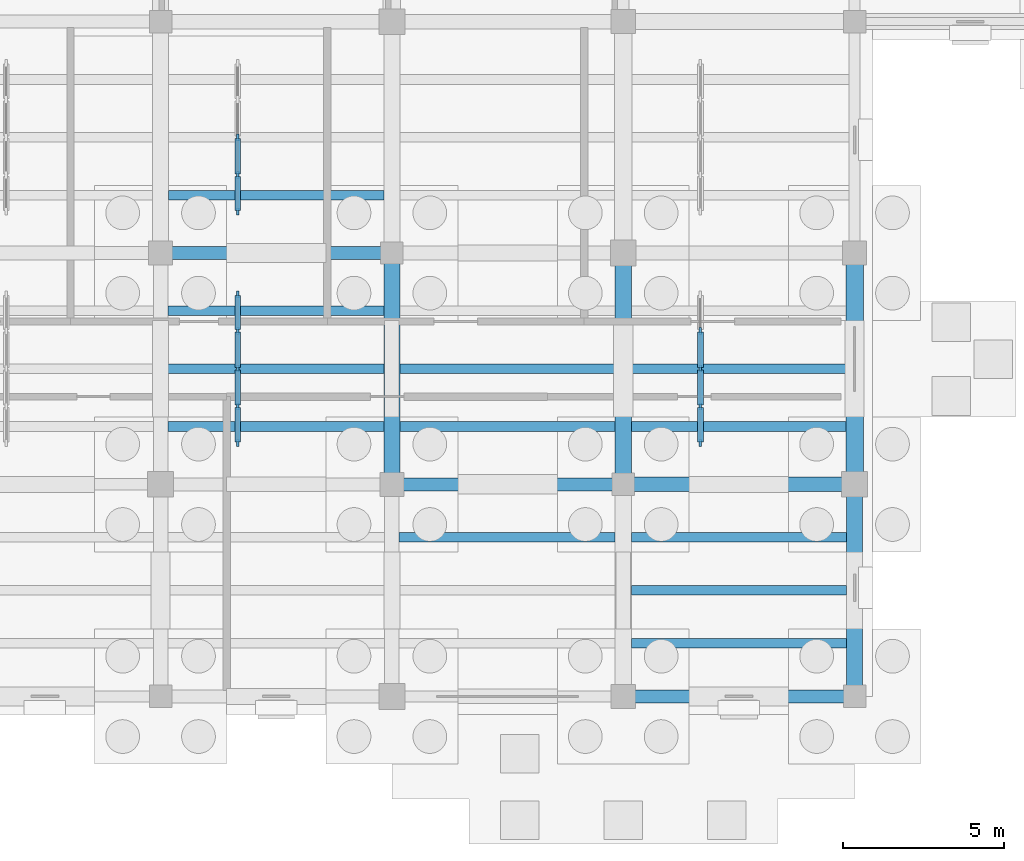
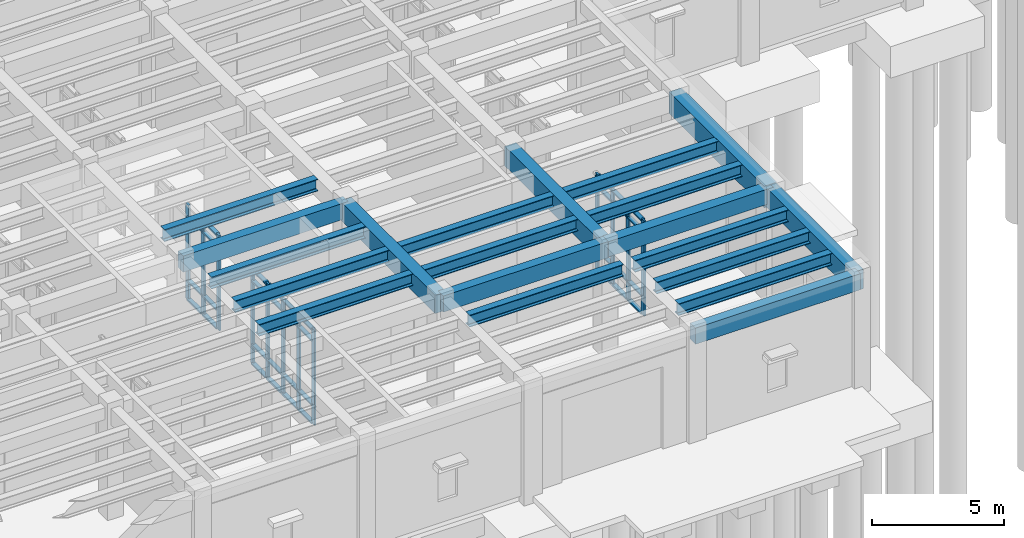
# One storey, part 35 of 100: 47 members, 20 beams, 3 elements without a shape of their own.
"""IFC4 building model written with IfcOpenShell, lengths in metres."""

import ifcopenshell
import ifcopenshell.guid

model = None  # the IFC model being written
_history = None  # IfcOwnerHistory: only IFC2X3 demands one
_inside = {}  # id of a spatial element -> (the spatial element, [elements in it])
_under = {}  # id of a project, library or spatial element -> (it, [spatial elements below it])
_declared = {}  # id of a project -> (the project, [libraries it declares])
_typed = {}  # id of a type object -> (the type object, [elements of that type])
_made_of = {}  # id of a material, layer set ... -> (it, [elements and type objects made of it])


def new_model(schema):
    """Start an empty IFC model of exactly this schema.

    Asked for "IFC4X3", IfcOpenShell would pick the latest addendum, in which some entities
    have other attributes; the version numbers below select the first issue.
    IFC2X3 requires an IfcOwnerHistory on every rooted entity: one is made here for all.
    """
    global model, _history
    if schema == "IFC4X3":
        model = ifcopenshell.file(schema_version=(4, 3, 0, 0))
    else:
        model = ifcopenshell.file(schema=schema)
    _inside.clear()
    _under.clear()
    _declared.clear()
    _typed.clear()
    _made_of.clear()
    _history = None
    if model.schema == "IFC2X3":
        org = make("IfcOrganization", Name="unknown")
        user = make(
            "IfcPersonAndOrganization",
            ThePerson=make("IfcPerson", FamilyName="unknown"),
            TheOrganization=org,
        )
        app = make(
            "IfcApplication",
            ApplicationDeveloper=org,
            Version="unknown",
            ApplicationFullName="unknown",
            ApplicationIdentifier="unknown",
        )
        _history = make(
            "IfcOwnerHistory",
            OwningUser=user,
            OwningApplication=app,
            ChangeAction="ADDED",
            CreationDate=0,
        )
    return model


def make(cls, **values):
    """One entity of the class cls with the attributes given. An attribute that is None is left unset."""
    return model.create_entity(
        cls, **{name: value for name, value in values.items() if value is not None}
    )


def rooted(cls, **values):
    """An entity with a GlobalId (a new one), such as an element, a storey or a relation."""
    return make(cls, GlobalId=ifcopenshell.guid.new(), OwnerHistory=_history, **values)


def si_unit(unit_type, name, prefix=None):
    """IfcSIUnit, for example si_unit("LENGTHUNIT", "METRE", prefix="MILLI")."""
    return make("IfcSIUnit", UnitType=unit_type, Prefix=prefix, Name=name)


def assignment(units):
    """IfcUnitAssignment: the units of a project."""
    return None if units is None else make("IfcUnitAssignment", Units=units)


def point(xyz):
    """IfcCartesianPoint."""
    return None if xyz is None else make("IfcCartesianPoint", Coordinates=xyz)


def direction(xyz):
    """IfcDirection."""
    return None if xyz is None else make("IfcDirection", DirectionRatios=xyz)


def frame(location, z_axis=None, x_axis=None):
    """IfcAxis2Placement3D, a coordinate frame: its origin and axes. An axis left out is left unset."""
    return make(
        "IfcAxis2Placement3D",
        Location=point(location),
        Axis=direction(z_axis),
        RefDirection=direction(x_axis),
    )


def frame_2d(location, x_axis=None):
    """IfcAxis2Placement2D, a coordinate frame in the plane: its origin and x axis."""
    return make(
        "IfcAxis2Placement2D", Location=point(location), RefDirection=direction(x_axis)
    )


def origin():
    """The frame at (0, 0, 0) with its axes left unset."""
    return frame((0.0, 0.0, 0.0))


def origin_2d():
    """The frame at (0, 0) in the plane with its x axis left unset."""
    return frame_2d((0.0, 0.0))


def place(relative_to, where):
    """IfcLocalPlacement: puts the frame where relative to a parent placement (None: the world)."""
    return make(
        "IfcLocalPlacement", PlacementRelTo=relative_to, RelativePlacement=where
    )


def context(
    kind, dimensions, precision=None, world=None, true_north=None, identifier=None
):
    """IfcGeometricRepresentationContext, for example the 3D "Model" context."""
    return make(
        "IfcGeometricRepresentationContext",
        ContextIdentifier=identifier,
        ContextType=kind,
        CoordinateSpaceDimension=dimensions,
        Precision=precision,
        WorldCoordinateSystem=world,
        TrueNorth=true_north,
    )


def subcontext(parent, identifier, kind, view, scale=None):
    """IfcGeometricRepresentationSubContext, for example "Body" below "Model"."""
    return make(
        "IfcGeometricRepresentationSubContext",
        ContextIdentifier=identifier,
        ContextType=kind,
        ParentContext=parent,
        TargetScale=scale,
        TargetView=view,
    )


def project(units=None, contexts=None):
    """IfcProject with its units and contexts."""
    return rooted(
        "IfcProject",
        Name="project",
        RepresentationContexts=contexts,
        UnitsInContext=assignment(units),
    )


def spatial(cls, under=None, at=None, **own):
    """A site, building, storey or space (cls), placed at a placement, below another one or the project."""
    s = rooted(cls, ObjectPlacement=at, **own)
    if under is not None:
        _under.setdefault(under.id(), (under, []))[1].append(s)
    return s


def profile(cls, at=None, kind="AREA", **sizes):
    """A parametric profile (cls). Its sizes go by their IFC names, for example OverallWidth=200.0."""
    return make(cls, ProfileType=kind, Position=at, **sizes)


def rectangle(**sizes):
    """IfcRectangleProfileDef."""
    return profile("IfcRectangleProfileDef", **sizes)


def i_section(**sizes):
    """IfcIShapeProfileDef."""
    return profile("IfcIShapeProfileDef", **sizes)


def extrude(swept, where, along, depth):
    """IfcExtrudedAreaSolid: the profile swept, set in the frame where, extruded along a direction by depth."""
    return make(
        "IfcExtrudedAreaSolid",
        SweptArea=swept,
        Position=where,
        ExtrudedDirection=direction(along),
        Depth=depth,
    )


def shape(context_of_items, identifier, shape_type, items):
    """IfcShapeRepresentation: the items that make up one representation, for example the "Body"."""
    return make(
        "IfcShapeRepresentation",
        ContextOfItems=context_of_items,
        RepresentationIdentifier=identifier,
        RepresentationType=shape_type,
        Items=items,
    )


def material(Name=None, Category=None):
    """IfcMaterial."""
    return make("IfcMaterial", Name=Name, Category=Category)


def material_profile(
    of_material, cross_section, Name=None, Category=None, Priority=None
):
    """IfcMaterialProfile: a cross section and its material."""
    return make(
        "IfcMaterialProfile",
        Name=Name,
        Material=of_material,
        Profile=cross_section,
        Priority=Priority,
        Category=Category,
    )


def profile_set(profiles, Name=None, composite=None):
    """IfcMaterialProfileSet."""
    return make(
        "IfcMaterialProfileSet",
        Name=Name,
        MaterialProfiles=profiles,
        CompositeProfile=composite,
    )


def made_of(thing, what):
    """Note that an element or type object is made of a material, layer set ...; save() writes the relation."""
    if what is not None:
        _made_of.setdefault(what.id(), (what, []))[1].append(thing)
    return thing


def type_object(cls, material=None, **own):
    """A type object (cls), such as IfcWallType, which elements share."""
    return made_of(rooted(cls, **own), material)


def element(
    cls,
    number,
    at=None,
    inside=None,
    cuts=None,
    type_object=None,
    material=None,
    context=None,
    identifier="Body",
    shape_type=None,
    held_by="IfcProductDefinitionShape",
    body=None,
    shapes=None,
    **own,
):
    """One element of the class cls, such as IfcWall. Its Tag is "e" and its number.

    at: its placement. inside: the storey or other place that contains it. cuts: it is an
    opening in that element (IfcRelVoidsElement). A single representation is given by context,
    identifier, shape_type and body (its items); several are given by shapes. held_by: the class
    of the entity that holds the representations. save() writes the other relations.
    """
    e = rooted(cls, Tag="e%d" % number, ObjectPlacement=at, **own)
    if body is not None:
        shapes = [shape(context, identifier, shape_type, body)]
    if shapes is not None:
        e.Representation = make(held_by, Representations=shapes)
    if inside is not None:
        _inside.setdefault(inside.id(), (inside, []))[1].append(e)
    if cuts is not None:
        rooted(
            "IfcRelVoidsElement", RelatingBuildingElement=cuts, RelatedOpeningElement=e
        )
    if type_object is not None:
        _typed.setdefault(type_object.id(), (type_object, []))[1].append(e)
    return made_of(e, material)


def aggregate(whole, parts):
    """IfcRelAggregates: a whole, such as a stair, and the parts it consists of."""
    return rooted("IfcRelAggregates", RelatingObject=whole, RelatedObjects=parts)


def save(model, path):
    """Write the relations noted so far, then the file.

    IfcRelAggregates (storeys below a building ...), IfcRelContainedInSpatialStructure (elements
    in a storey), IfcRelDefinesByType, IfcRelAssociatesMaterial and IfcRelDeclares: one each for
    every whole, place, type object, material and project.
    """
    for whole, parts in _under.values():
        aggregate(whole, parts)
    for where, things in _inside.values():
        rooted(
            "IfcRelContainedInSpatialStructure",
            RelatedElements=things,
            RelatingStructure=where,
        )
    for kind, things in _typed.values():
        rooted("IfcRelDefinesByType", RelatedObjects=things, RelatingType=kind)
    for what, things in _made_of.values():
        rooted("IfcRelAssociatesMaterial", RelatedObjects=things, RelatingMaterial=what)
    for by, libraries in _declared.values():
        rooted("IfcRelDeclares", RelatingContext=by, RelatedDefinitions=libraries)
    model.write(path)


model = new_model("IFC4")

# Units and contexts
model_context = context("Model", 3, precision=1e-05, world=origin(), true_north=direction((0.0, 1.0)))
body_context = subcontext(model_context, "Body", "Model", "MODEL_VIEW")
ifc_project = project(units=[si_unit("LENGTHUNIT", "METRE"), si_unit("AREAUNIT", "SQUARE_METRE"), si_unit("VOLUMEUNIT", "CUBIC_METRE"), si_unit("PLANEANGLEUNIT", "RADIAN"), si_unit("MASSUNIT", "GRAM", prefix="KILO")], contexts=[model_context])

# Site, building, storey
site_placement = place(None, origin())
site = spatial("IfcSite", under=ifc_project, at=site_placement, CompositionType="ELEMENT")
building_placement = place(site_placement, origin())
building = spatial("IfcBuilding", under=site, at=building_placement, Name="Mithqara Police Headquarters", CompositionType="ELEMENT")
storey_placement = place(building_placement, origin())
storey = spatial("IfcBuildingStorey", under=building, at=storey_placement, Name="L00", CompositionType="ELEMENT", Elevation=0.0)

# Beams
ifc_material_1 = material(Name="Steel S355JR", Category="steel")
ifc_material_profile_1 = material_profile(ifc_material_1, i_section(OverallWidth=0.300048828125, OverallDepth=0.550048828125, WebThickness=0.014892578125, FlangeThickness=0.029052734375, FilletRadius=0.027099609375, at=origin_2d()), Name="HEB 550")
ifc_profile_set_1 = profile_set([ifc_material_profile_1], Name="Steel S355JR")
beam_type_1 = type_object("IfcBeamType", Name="BEAM HEB550", PredefinedType="BEAM", material=ifc_profile_set_1)
for number, where, z_axis, x_axis, name in (
    (1, (123.22509765625, 8.39990234375, 4.844970703125), (1.0, 0.0, 0.0), (0.0, 1.0, 0.0), "L00 Composite Steel Joist 18-19/B.1"),
    (2, (123.22509765625, 10.199951171875, 4.844970703125), (1.0, 0.0, 0.0), (0.0, 1.0, 0.0), "L00 Composite Steel Joist 18-19/B.2"),
    (3, (123.22509765625, 12.0, 4.844970703125), (1.0, 0.0, 0.0), (0.0, 1.0, 0.0), "L00 Composite Steel Joist 18-19/B.3"),
):
    element("IfcBeam", number, at=place(storey_placement, frame(where, z_axis=z_axis, x_axis=x_axis)), inside=storey, type_object=beam_type_1, Name=name, PredefinedType="BEAM", context=body_context, shape_type="SweptSolid", body=[
        extrude(i_section(OverallWidth=0.300048828125, OverallDepth=0.550048828125, WebThickness=0.014892578125, FlangeThickness=0.029052734375, FilletRadius=0.027099609375, at=origin_2d()), origin(), (0.0, 0.0, 1.0), 6.724853515625),
    ])
beam_1_placement = place(storey_placement, frame((123.25, 15.60009765625, 4.844970703125), z_axis=(1.0, 0.0, 0.0), x_axis=(0.0, 1.0, 0.0)))
element("IfcBeam", 4, at=beam_1_placement, inside=storey, type_object=beam_type_1, Name="L00 Composite Steel Joist 18-19/C.1", PredefinedType="BEAM", context=body_context, shape_type="SweptSolid", body=[
    extrude(i_section(OverallWidth=0.300048828125, OverallDepth=0.550048828125, WebThickness=0.014892578125, FlangeThickness=0.029052734375, FilletRadius=0.027099609375, at=origin_2d()), origin(), (0.0, 0.0, 1.0), 6.699951171875),
])
beam_2_placement = place(storey_placement, frame((130.425048828125, 4.949951171875, 4.844970703125), z_axis=(1.0, 0.0, 0.0), x_axis=(0.0, 1.0, 0.0)))
element("IfcBeam", 5, at=beam_2_placement, inside=storey, type_object=beam_type_1, Name="L00 Composite Steel Joist 19-20/A.3", PredefinedType="BEAM", context=body_context, shape_type="SweptSolid", body=[
    extrude(i_section(OverallWidth=0.300048828125, OverallDepth=0.550048828125, WebThickness=0.014892578125, FlangeThickness=0.029052734375, FilletRadius=0.027099609375, at=origin_2d()), origin(), (0.0, 0.0, 1.0), 6.724853515625),
])
for number, where, z_axis, x_axis, name in (
    (6, (130.449951171875, 8.39990234375, 4.844970703125), (1.0, 0.0, 0.0), (0.0, 1.0, 0.0), "L00 Composite Steel Joist 19-20/B.1"),
    (7, (130.449951171875, 10.199951171875, 4.844970703125), (1.0, 0.0, 0.0), (0.0, 1.0, 0.0), "L00 Composite Steel Joist 19-20/B.2"),
):
    element("IfcBeam", number, at=place(storey_placement, frame(where, z_axis=z_axis, x_axis=x_axis)), inside=storey, type_object=beam_type_1, Name=name, PredefinedType="BEAM", context=body_context, shape_type="SweptSolid", body=[
        extrude(i_section(OverallWidth=0.300048828125, OverallDepth=0.550048828125, WebThickness=0.014892578125, FlangeThickness=0.029052734375, FilletRadius=0.027099609375, at=origin_2d()), origin(), (0.0, 0.0, 1.0), 6.699951171875),
    ])
for number, where, z_axis, x_axis, name in (
    (8, (137.64990234375, 1.64990234375, 4.844970703125), (1.0, 0.0, 0.0), (0.0, 1.0, 0.0), "L00 Composite Steel Joist 20-21/A.1"),
    (9, (137.64990234375, 3.300048828125, 4.844970703125), (1.0, 0.0, 0.0), (0.0, 1.0, 0.0), "L00 Composite Steel Joist 20-21/A.2"),
    (10, (137.64990234375, 4.949951171875, 4.844970703125), (1.0, 0.0, 0.0), (0.0, 1.0, 0.0), "L00 Composite Steel Joist 20-21/A.3"),
):
    element("IfcBeam", number, at=place(storey_placement, frame(where, z_axis=z_axis, x_axis=x_axis)), inside=storey, type_object=beam_type_1, Name=name, PredefinedType="BEAM", context=body_context, shape_type="SweptSolid", body=[
        extrude(i_section(OverallWidth=0.300048828125, OverallDepth=0.550048828125, WebThickness=0.014892578125, FlangeThickness=0.029052734375, FilletRadius=0.027099609375, at=origin_2d()), origin(), (0.0, 0.0, 1.0), 6.7001953125),
    ])
for number, where, z_axis, x_axis, name in (
    (11, (137.64990234375, 8.39990234375, 4.844970703125), (1.0, 0.0, 0.0), (0.0, 1.0, 0.0), "L00 Composite Steel Joist 20-21/B.1"),
    (12, (137.64990234375, 10.199951171875, 4.844970703125), (1.0, 0.0, 0.0), (0.0, 1.0, 0.0), "L00 Composite Steel Joist 20-21/B.2"),
):
    element("IfcBeam", number, at=place(storey_placement, frame(where, z_axis=z_axis, x_axis=x_axis)), inside=storey, type_object=beam_type_1, Name=name, PredefinedType="BEAM", context=body_context, shape_type="SweptSolid", body=[
        extrude(i_section(OverallWidth=0.300048828125, OverallDepth=0.550048828125, WebThickness=0.014892578125, FlangeThickness=0.029052734375, FilletRadius=0.027099609375, at=origin_2d()), origin(), (0.0, 0.0, 1.0), 6.675048828125),
    ])
ifc_material_2 = material(Name="Concrete C40/50", Category="concrete")
ifc_material_profile_2 = material_profile(ifc_material_2, rectangle(XDim=0.39990234375, YDim=0.75, at=origin_2d()), Name="RC 400x750")
ifc_profile_set_2 = profile_set([ifc_material_profile_2], Name="Concrete C40/50")
beam_type_2 = type_object("IfcBeamType", Name="BEAM RC400X750", PredefinedType="BEAM", material=ifc_profile_set_2)
for number, where, z_axis, x_axis, name in (
    (13, (123.0, 13.800048828125, 4.7451171875), (1.0, 0.0, 0.0), (0.0, 1.0, 0.0), "L00 Girder 18-19/C"),
    (14, (130.199951171875, 6.60009765625, 4.7451171875), (1.0, 0.0, 0.0), (0.0, 1.0, 0.0), "L00 Girder 19-20/B"),
):
    element("IfcBeam", number, at=place(storey_placement, frame(where, z_axis=z_axis, x_axis=x_axis)), inside=storey, type_object=beam_type_2, Name=name, PredefinedType="BEAM", context=body_context, shape_type="SweptSolid", body=[
        extrude(rectangle(XDim=0.39990234375, YDim=0.75, at=origin_2d()), origin(), (0.0, 0.0, 1.0), 7.199951171875),
    ])
ifc_material_profile_3 = material_profile(ifc_material_2, rectangle(XDim=0.449951171875, YDim=0.699951171875, at=origin_2d()), Name="RC 450x700")
ifc_profile_set_3 = profile_set([ifc_material_profile_3], Name="Concrete C40/50")
beam_type_3 = type_object("IfcBeamType", Name="BEAM RC450X700", PredefinedType="BEAM", material=ifc_profile_set_3)
beam_3_placement = place(storey_placement, frame((137.39990234375, 6.60009765625, 4.77001953125), z_axis=(1.0, 0.0, 0.0), x_axis=(0.0, 1.0, 0.0)))
element("IfcBeam", 15, at=beam_3_placement, inside=storey, type_object=beam_type_3, Name="L00 Girder 20-21/B", PredefinedType="BEAM", context=body_context, shape_type="SweptSolid", body=[
    extrude(rectangle(XDim=0.449951171875, YDim=0.699951171875, at=origin_2d()), origin(), (0.0, 0.0, 1.0), 7.2001953125),
])
ifc_material_profile_4 = material_profile(ifc_material_2, rectangle(XDim=0.5, YDim=0.85009765625, at=origin_2d()), Name="RC 500x850")
ifc_profile_set_4 = profile_set([ifc_material_profile_4], Name="Concrete C40/50")
beam_type_4 = type_object("IfcBeamType", Name="BEAM RC500X850", PredefinedType="BEAM", material=ifc_profile_set_4)
beam_4_placement = place(storey_placement, frame((130.199951171875, 6.60009765625, 4.695068359375), z_axis=(0.0, 1.0, 0.0), x_axis=(-1.0, 0.0, 0.0)))
element("IfcBeam", 16, at=beam_4_placement, inside=storey, type_object=beam_type_4, Name="L00 Girder 19/B-C", PredefinedType="BEAM", context=body_context, shape_type="SweptSolid", body=[
    extrude(rectangle(XDim=0.5, YDim=0.85009765625, at=origin_2d()), origin(), (0.0, 0.0, 1.0), 7.199951171875),
])
ifc_material_3 = material(Name="Concrete C50/60", Category="concrete")
ifc_material_profile_5 = material_profile(ifc_material_3, rectangle(XDim=0.5, YDim=0.89990234375, at=origin_2d()), Name="RC 500x900")
ifc_profile_set_5 = profile_set([ifc_material_profile_5], Name="Concrete C50/60")
beam_type_5 = type_object("IfcBeamType", Name="BEAM RC500X900", PredefinedType="BEAM", material=ifc_profile_set_5)
beam_5_placement = place(storey_placement, frame((137.39990234375, 6.60009765625, 4.669921875), z_axis=(0.0, 1.0, 0.0), x_axis=(-1.0, 0.0, 0.0)))
element("IfcBeam", 17, at=beam_5_placement, inside=storey, type_object=beam_type_5, Name="L00 Girder 20/B-C", PredefinedType="BEAM", context=body_context, shape_type="SweptSolid", body=[
    extrude(rectangle(XDim=0.5, YDim=0.89990234375, at=origin_2d()), origin(), (0.0, 0.0, 1.0), 7.199951171875),
])
beam_6_placement = place(storey_placement, frame((144.60009765625, 0.0, 4.669921875), z_axis=(0.0, 1.0, 0.0), x_axis=(-1.0, 0.0, 0.0)))
element("IfcBeam", 18, at=beam_6_placement, inside=storey, type_object=beam_type_5, Name="L00 Girder 21/A-B", PredefinedType="BEAM", context=body_context, shape_type="SweptSolid", body=[
    extrude(rectangle(XDim=0.5, YDim=0.89990234375, at=origin_2d()), origin(), (0.0, 0.0, 1.0), 6.60009765625),
])
ifc_material_profile_6 = material_profile(ifc_material_3, rectangle(XDim=0.550048828125, YDim=1.0, at=origin_2d()), Name="RC 550x1000")
ifc_profile_set_6 = profile_set([ifc_material_profile_6], Name="Concrete C50/60")
beam_type_6 = type_object("IfcBeamType", Name="BEAM RC550X1000", PredefinedType="BEAM", material=ifc_profile_set_6)
beam_7_placement = place(storey_placement, frame((144.60009765625, 6.60009765625, 4.6201171875), z_axis=(0.0, 1.0, 0.0), x_axis=(-1.0, 0.0, 0.0)))
element("IfcBeam", 19, at=beam_7_placement, inside=storey, type_object=beam_type_6, Name="L00 Girder 21/B-C", PredefinedType="BEAM", context=body_context, shape_type="SweptSolid", body=[
    extrude(rectangle(XDim=0.550048828125, YDim=1.0, at=origin_2d()), origin(), (0.0, 0.0, 1.0), 7.199951171875),
])

# Curtain wall, members
ifc_material_4 = material(Name="Bronze anodised aluminium 6063-T6", Category="aluminium")
curtain_wall_type = type_object("IfcCurtainWallType", Name="CURTAIN WALL 4700X4400", PredefinedType="USERDEFINED", material=ifc_material_4)
curtain_wall_1_placement = place(storey_placement, origin())
curtain_wall_1 = element("IfcCurtainWall", 20, at=curtain_wall_1_placement, inside=storey, type_object=curtain_wall_type, Name="L00 Unitised Glazing CW-14 (CW-INT-L00-X17-Y01-0)", ObjectType="UNITISED GLAZING", PredefinedType="USERDEFINED")
ifc_material_profile_7 = material_profile(ifc_material_4, rectangle(XDim=0.074951171875, YDim=0.219970703125, at=origin_2d()), Name="CWM 75x220")
ifc_profile_set_7 = profile_set([ifc_material_profile_7], Name="Bronze anodised aluminium 6063-T6")
member_type_1 = type_object("IfcMemberType", Name="CWMULLION 75X220", PredefinedType="MULLION", material=ifc_profile_set_7)
member_1_placement = place(storey_placement, frame((125.39990234375, 7.887451171875, 0.0), z_axis=(0.0, 0.0, 1.0), x_axis=(-1.0, 0.0, 0.0)))
member_1 = element("IfcMember", 21, at=member_1_placement, type_object=member_type_1, Name="CW-14 mullion 1", PredefinedType="MULLION", context=body_context, shape_type="SweptSolid", body=[
    extrude(rectangle(XDim=0.074951171875, YDim=0.219970703125, at=origin_2d()), origin(), (0.0, 0.0, 1.0), 4.39990234375),
])
member_2_placement = place(storey_placement, frame((125.39990234375, 9.02490234375, 0.0), z_axis=(0.0, 0.0, 1.0), x_axis=(-1.0, 0.0, 0.0)))
member_2 = element("IfcMember", 22, at=member_2_placement, type_object=member_type_1, Name="CW-14 mullion 2", PredefinedType="MULLION", context=body_context, shape_type="SweptSolid", body=[
    extrude(rectangle(XDim=0.074951171875, YDim=0.219970703125, at=origin_2d()), origin(), (0.0, 0.0, 1.0), 4.39990234375),
])
member_3_placement = place(storey_placement, frame((125.39990234375, 10.199951171875, 0.0), z_axis=(0.0, 0.0, 1.0), x_axis=(-1.0, 0.0, 0.0)))
member_3 = element("IfcMember", 23, at=member_3_placement, type_object=member_type_1, Name="CW-14 mullion 3", PredefinedType="MULLION", context=body_context, shape_type="SweptSolid", body=[
    extrude(rectangle(XDim=0.074951171875, YDim=0.219970703125, at=origin_2d()), origin(), (0.0, 0.0, 1.0), 4.39990234375),
])
member_4_placement = place(storey_placement, frame((125.39990234375, 11.375, 0.0), z_axis=(0.0, 0.0, 1.0), x_axis=(-1.0, 0.0, 0.0)))
member_4 = element("IfcMember", 24, at=member_4_placement, type_object=member_type_1, Name="CW-14 mullion 4", PredefinedType="MULLION", context=body_context, shape_type="SweptSolid", body=[
    extrude(rectangle(XDim=0.074951171875, YDim=0.219970703125, at=origin_2d()), origin(), (0.0, 0.0, 1.0), 4.39990234375),
])
member_5_placement = place(storey_placement, frame((125.39990234375, 12.512451171875, 0.0), z_axis=(0.0, 0.0, 1.0), x_axis=(-1.0, 0.0, 0.0)))
member_5 = element("IfcMember", 25, at=member_5_placement, type_object=member_type_1, Name="CW-14 mullion 5", PredefinedType="MULLION", context=body_context, shape_type="SweptSolid", body=[
    extrude(rectangle(XDim=0.074951171875, YDim=0.219970703125, at=origin_2d()), origin(), (0.0, 0.0, 1.0), 4.39990234375),
])

curtain_wall_2_placement = place(storey_placement, origin())
curtain_wall_2 = element("IfcCurtainWall", 26, at=curtain_wall_2_placement, inside=storey, type_object=curtain_wall_type, Name="L00 Unitised Glazing CW-14 (CW-INT-L00-X17-Y02-0)", ObjectType="UNITISED GLAZING", PredefinedType="USERDEFINED")
member_6_placement = place(storey_placement, frame((125.39990234375, 15.08740234375, 0.0), z_axis=(0.0, 0.0, 1.0), x_axis=(-1.0, 0.0, 0.0)))
member_6 = element("IfcMember", 27, at=member_6_placement, type_object=member_type_1, Name="CW-14 mullion 1", PredefinedType="MULLION", context=body_context, shape_type="SweptSolid", body=[
    extrude(rectangle(XDim=0.074951171875, YDim=0.219970703125, at=origin_2d()), origin(), (0.0, 0.0, 1.0), 4.39990234375),
])
member_7_placement = place(storey_placement, frame((125.39990234375, 16.22509765625, 0.0), z_axis=(0.0, 0.0, 1.0), x_axis=(-1.0, 0.0, 0.0)))
member_7 = element("IfcMember", 28, at=member_7_placement, type_object=member_type_1, Name="CW-14 mullion 2", PredefinedType="MULLION", context=body_context, shape_type="SweptSolid", body=[
    extrude(rectangle(XDim=0.074951171875, YDim=0.219970703125, at=origin_2d()), origin(), (0.0, 0.0, 1.0), 4.39990234375),
])
member_8_placement = place(storey_placement, frame((125.39990234375, 17.39990234375, 0.0), z_axis=(0.0, 0.0, 1.0), x_axis=(-1.0, 0.0, 0.0)))
member_8 = element("IfcMember", 29, at=member_8_placement, type_object=member_type_1, Name="CW-14 mullion 3", PredefinedType="MULLION", context=body_context, shape_type="SweptSolid", body=[
    extrude(rectangle(XDim=0.074951171875, YDim=0.219970703125, at=origin_2d()), origin(), (0.0, 0.0, 1.0), 4.39990234375),
])

curtain_wall_3_placement = place(storey_placement, origin())
curtain_wall_3 = element("IfcCurtainWall", 30, at=curtain_wall_3_placement, inside=storey, type_object=curtain_wall_type, Name="L00 Unitised Glazing CW-14 (CW-INT-L00-X19-Y01-0)", ObjectType="UNITISED GLAZING", PredefinedType="USERDEFINED")
member_9_placement = place(storey_placement, frame((139.800048828125, 7.887451171875, 0.0), z_axis=(0.0, 0.0, 1.0), x_axis=(-1.0, 0.0, 0.0)))
member_9 = element("IfcMember", 31, at=member_9_placement, type_object=member_type_1, Name="CW-14 mullion 1", PredefinedType="MULLION", context=body_context, shape_type="SweptSolid", body=[
    extrude(rectangle(XDim=0.074951171875, YDim=0.219970703125, at=origin_2d()), origin(), (0.0, 0.0, 1.0), 4.39990234375),
])
member_10_placement = place(storey_placement, frame((139.800048828125, 9.02490234375, 0.0), z_axis=(0.0, 0.0, 1.0), x_axis=(-1.0, 0.0, 0.0)))
member_10 = element("IfcMember", 32, at=member_10_placement, type_object=member_type_1, Name="CW-14 mullion 2", PredefinedType="MULLION", context=body_context, shape_type="SweptSolid", body=[
    extrude(rectangle(XDim=0.074951171875, YDim=0.219970703125, at=origin_2d()), origin(), (0.0, 0.0, 1.0), 4.39990234375),
])
member_11_placement = place(storey_placement, frame((139.800048828125, 10.199951171875, 0.0), z_axis=(0.0, 0.0, 1.0), x_axis=(-1.0, 0.0, 0.0)))
member_11 = element("IfcMember", 33, at=member_11_placement, type_object=member_type_1, Name="CW-14 mullion 3", PredefinedType="MULLION", context=body_context, shape_type="SweptSolid", body=[
    extrude(rectangle(XDim=0.074951171875, YDim=0.219970703125, at=origin_2d()), origin(), (0.0, 0.0, 1.0), 4.39990234375),
])
member_12_placement = place(storey_placement, frame((139.800048828125, 11.375, 0.0), z_axis=(0.0, 0.0, 1.0), x_axis=(-1.0, 0.0, 0.0)))
member_12 = element("IfcMember", 34, at=member_12_placement, type_object=member_type_1, Name="CW-14 mullion 4", PredefinedType="MULLION", context=body_context, shape_type="SweptSolid", body=[
    extrude(rectangle(XDim=0.074951171875, YDim=0.219970703125, at=origin_2d()), origin(), (0.0, 0.0, 1.0), 4.39990234375),
])

# Member
ifc_material_profile_8 = material_profile(ifc_material_4, rectangle(XDim=0.179931640625, YDim=0.074951171875, at=origin_2d()), Name="CWT 180x75")
ifc_profile_set_8 = profile_set([ifc_material_profile_8], Name="Bronze anodised aluminium 6063-T6")
member_type_2 = type_object("IfcMemberType", Name="CWTRANSOM 180X75", PredefinedType="USERDEFINED", material=ifc_profile_set_8)
member_13_placement = place(storey_placement, frame((125.39990234375, 7.925048828125, 0.03759765625), z_axis=(0.0, 1.0, 0.0), x_axis=(-1.0, 0.0, 0.0)))
member_13 = element("IfcMember", 35, at=member_13_placement, type_object=member_type_2, Name="CW-14 transom 1.1", ObjectType="TRANSOM", PredefinedType="USERDEFINED", context=body_context, shape_type="SweptSolid", body=[
    extrude(rectangle(XDim=0.179931640625, YDim=0.074951171875, at=origin_2d()), origin(), (0.0, 0.0, 1.0), 1.0625),
])

member_14_placement = place(storey_placement, frame((125.39990234375, 7.925048828125, 0.89990234375), z_axis=(0.0, 1.0, 0.0), x_axis=(-1.0, 0.0, 0.0)))
member_14 = element("IfcMember", 36, at=member_14_placement, type_object=member_type_2, Name="CW-14 transom 1.2", ObjectType="TRANSOM", PredefinedType="USERDEFINED", context=body_context, shape_type="SweptSolid", body=[
    extrude(rectangle(XDim=0.179931640625, YDim=0.074951171875, at=origin_2d()), origin(), (0.0, 0.0, 1.0), 1.0625),
])

member_15_placement = place(storey_placement, frame((125.39990234375, 7.925048828125, 3.85009765625), z_axis=(0.0, 1.0, 0.0), x_axis=(-1.0, 0.0, 0.0)))
member_15 = element("IfcMember", 37, at=member_15_placement, type_object=member_type_2, Name="CW-14 transom 1.3", ObjectType="TRANSOM", PredefinedType="USERDEFINED", context=body_context, shape_type="SweptSolid", body=[
    extrude(rectangle(XDim=0.179931640625, YDim=0.074951171875, at=origin_2d()), origin(), (0.0, 0.0, 1.0), 1.0625),
])

member_16_placement = place(storey_placement, frame((125.39990234375, 7.925048828125, 4.362548828125), z_axis=(0.0, 1.0, 0.0), x_axis=(-1.0, 0.0, 0.0)))
member_16 = element("IfcMember", 38, at=member_16_placement, type_object=member_type_2, Name="CW-14 transom 1.4", ObjectType="TRANSOM", PredefinedType="USERDEFINED", context=body_context, shape_type="SweptSolid", body=[
    extrude(rectangle(XDim=0.179931640625, YDim=0.074951171875, at=origin_2d()), origin(), (0.0, 0.0, 1.0), 1.0625),
])

member_17_placement = place(storey_placement, frame((125.39990234375, 9.0625, 0.03759765625), z_axis=(0.0, 1.0, 0.0), x_axis=(-1.0, 0.0, 0.0)))
member_17 = element("IfcMember", 39, at=member_17_placement, type_object=member_type_2, Name="CW-14 transom 2.1", ObjectType="TRANSOM", PredefinedType="USERDEFINED", context=body_context, shape_type="SweptSolid", body=[
    extrude(rectangle(XDim=0.179931640625, YDim=0.074951171875, at=origin_2d()), origin(), (0.0, 0.0, 1.0), 1.10009765625),
])

member_18_placement = place(storey_placement, frame((125.39990234375, 9.0625, 0.89990234375), z_axis=(0.0, 1.0, 0.0), x_axis=(-1.0, 0.0, 0.0)))
member_18 = element("IfcMember", 40, at=member_18_placement, type_object=member_type_2, Name="CW-14 transom 2.2", ObjectType="TRANSOM", PredefinedType="USERDEFINED", context=body_context, shape_type="SweptSolid", body=[
    extrude(rectangle(XDim=0.179931640625, YDim=0.074951171875, at=origin_2d()), origin(), (0.0, 0.0, 1.0), 1.10009765625),
])

member_19_placement = place(storey_placement, frame((125.39990234375, 9.0625, 3.85009765625), z_axis=(0.0, 1.0, 0.0), x_axis=(-1.0, 0.0, 0.0)))
member_19 = element("IfcMember", 41, at=member_19_placement, type_object=member_type_2, Name="CW-14 transom 2.3", ObjectType="TRANSOM", PredefinedType="USERDEFINED", context=body_context, shape_type="SweptSolid", body=[
    extrude(rectangle(XDim=0.179931640625, YDim=0.074951171875, at=origin_2d()), origin(), (0.0, 0.0, 1.0), 1.10009765625),
])

member_20_placement = place(storey_placement, frame((125.39990234375, 9.0625, 4.362548828125), z_axis=(0.0, 1.0, 0.0), x_axis=(-1.0, 0.0, 0.0)))
member_20 = element("IfcMember", 42, at=member_20_placement, type_object=member_type_2, Name="CW-14 transom 2.4", ObjectType="TRANSOM", PredefinedType="USERDEFINED", context=body_context, shape_type="SweptSolid", body=[
    extrude(rectangle(XDim=0.179931640625, YDim=0.074951171875, at=origin_2d()), origin(), (0.0, 0.0, 1.0), 1.10009765625),
])

member_21_placement = place(storey_placement, frame((125.39990234375, 10.237548828125, 0.03759765625), z_axis=(0.0, 1.0, 0.0), x_axis=(-1.0, 0.0, 0.0)))
member_21 = element("IfcMember", 43, at=member_21_placement, type_object=member_type_2, Name="CW-14 transom 3.1", ObjectType="TRANSOM", PredefinedType="USERDEFINED", context=body_context, shape_type="SweptSolid", body=[
    extrude(rectangle(XDim=0.179931640625, YDim=0.074951171875, at=origin_2d()), origin(), (0.0, 0.0, 1.0), 1.099853515625),
])

member_22_placement = place(storey_placement, frame((125.39990234375, 10.237548828125, 0.89990234375), z_axis=(0.0, 1.0, 0.0), x_axis=(-1.0, 0.0, 0.0)))
member_22 = element("IfcMember", 44, at=member_22_placement, type_object=member_type_2, Name="CW-14 transom 3.2", ObjectType="TRANSOM", PredefinedType="USERDEFINED", context=body_context, shape_type="SweptSolid", body=[
    extrude(rectangle(XDim=0.179931640625, YDim=0.074951171875, at=origin_2d()), origin(), (0.0, 0.0, 1.0), 1.099853515625),
])

member_23_placement = place(storey_placement, frame((125.39990234375, 10.237548828125, 3.85009765625), z_axis=(0.0, 1.0, 0.0), x_axis=(-1.0, 0.0, 0.0)))
member_23 = element("IfcMember", 45, at=member_23_placement, type_object=member_type_2, Name="CW-14 transom 3.3", ObjectType="TRANSOM", PredefinedType="USERDEFINED", context=body_context, shape_type="SweptSolid", body=[
    extrude(rectangle(XDim=0.179931640625, YDim=0.074951171875, at=origin_2d()), origin(), (0.0, 0.0, 1.0), 1.099853515625),
])

member_24_placement = place(storey_placement, frame((125.39990234375, 10.237548828125, 4.362548828125), z_axis=(0.0, 1.0, 0.0), x_axis=(-1.0, 0.0, 0.0)))
member_24 = element("IfcMember", 46, at=member_24_placement, type_object=member_type_2, Name="CW-14 transom 3.4", ObjectType="TRANSOM", PredefinedType="USERDEFINED", context=body_context, shape_type="SweptSolid", body=[
    extrude(rectangle(XDim=0.179931640625, YDim=0.074951171875, at=origin_2d()), origin(), (0.0, 0.0, 1.0), 1.099853515625),
])

member_25_placement = place(storey_placement, frame((125.39990234375, 11.41259765625, 0.03759765625), z_axis=(0.0, 1.0, 0.0), x_axis=(-1.0, 0.0, 0.0)))
member_25 = element("IfcMember", 47, at=member_25_placement, type_object=member_type_2, Name="CW-14 transom 4.1", ObjectType="TRANSOM", PredefinedType="USERDEFINED", context=body_context, shape_type="SweptSolid", body=[
    extrude(rectangle(XDim=0.179931640625, YDim=0.074951171875, at=origin_2d()), origin(), (0.0, 0.0, 1.0), 1.0625),
])

member_26_placement = place(storey_placement, frame((125.39990234375, 11.41259765625, 0.89990234375), z_axis=(0.0, 1.0, 0.0), x_axis=(-1.0, 0.0, 0.0)))
member_26 = element("IfcMember", 48, at=member_26_placement, type_object=member_type_2, Name="CW-14 transom 4.2", ObjectType="TRANSOM", PredefinedType="USERDEFINED", context=body_context, shape_type="SweptSolid", body=[
    extrude(rectangle(XDim=0.179931640625, YDim=0.074951171875, at=origin_2d()), origin(), (0.0, 0.0, 1.0), 1.0625),
])

member_27_placement = place(storey_placement, frame((125.39990234375, 11.41259765625, 3.85009765625), z_axis=(0.0, 1.0, 0.0), x_axis=(-1.0, 0.0, 0.0)))
member_27 = element("IfcMember", 49, at=member_27_placement, type_object=member_type_2, Name="CW-14 transom 4.3", ObjectType="TRANSOM", PredefinedType="USERDEFINED", context=body_context, shape_type="SweptSolid", body=[
    extrude(rectangle(XDim=0.179931640625, YDim=0.074951171875, at=origin_2d()), origin(), (0.0, 0.0, 1.0), 1.0625),
])

member_28_placement = place(storey_placement, frame((125.39990234375, 11.41259765625, 4.362548828125), z_axis=(0.0, 1.0, 0.0), x_axis=(-1.0, 0.0, 0.0)))
member_28 = element("IfcMember", 50, at=member_28_placement, type_object=member_type_2, Name="CW-14 transom 4.4", ObjectType="TRANSOM", PredefinedType="USERDEFINED", context=body_context, shape_type="SweptSolid", body=[
    extrude(rectangle(XDim=0.179931640625, YDim=0.074951171875, at=origin_2d()), origin(), (0.0, 0.0, 1.0), 1.0625),
])

aggregate(curtain_wall_1, [member_1, member_2, member_3, member_4, member_5, member_13, member_14, member_15, member_16, member_17, member_18, member_19, member_20, member_21, member_22, member_23, member_24, member_25, member_26, member_27, member_28])

member_29_placement = place(storey_placement, frame((125.39990234375, 15.125, 0.03759765625), z_axis=(0.0, 1.0, 0.0), x_axis=(-1.0, 0.0, 0.0)))
member_29 = element("IfcMember", 51, at=member_29_placement, type_object=member_type_2, Name="CW-14 transom 1.1", ObjectType="TRANSOM", PredefinedType="USERDEFINED", context=body_context, shape_type="SweptSolid", body=[
    extrude(rectangle(XDim=0.179931640625, YDim=0.074951171875, at=origin_2d()), origin(), (0.0, 0.0, 1.0), 1.0625),
])

member_30_placement = place(storey_placement, frame((125.39990234375, 15.125, 0.89990234375), z_axis=(0.0, 1.0, 0.0), x_axis=(-1.0, 0.0, 0.0)))
member_30 = element("IfcMember", 52, at=member_30_placement, type_object=member_type_2, Name="CW-14 transom 1.2", ObjectType="TRANSOM", PredefinedType="USERDEFINED", context=body_context, shape_type="SweptSolid", body=[
    extrude(rectangle(XDim=0.179931640625, YDim=0.074951171875, at=origin_2d()), origin(), (0.0, 0.0, 1.0), 1.0625),
])

member_31_placement = place(storey_placement, frame((125.39990234375, 15.125, 3.85009765625), z_axis=(0.0, 1.0, 0.0), x_axis=(-1.0, 0.0, 0.0)))
member_31 = element("IfcMember", 53, at=member_31_placement, type_object=member_type_2, Name="CW-14 transom 1.3", ObjectType="TRANSOM", PredefinedType="USERDEFINED", context=body_context, shape_type="SweptSolid", body=[
    extrude(rectangle(XDim=0.179931640625, YDim=0.074951171875, at=origin_2d()), origin(), (0.0, 0.0, 1.0), 1.0625),
])

member_32_placement = place(storey_placement, frame((125.39990234375, 15.125, 4.362548828125), z_axis=(0.0, 1.0, 0.0), x_axis=(-1.0, 0.0, 0.0)))
member_32 = element("IfcMember", 54, at=member_32_placement, type_object=member_type_2, Name="CW-14 transom 1.4", ObjectType="TRANSOM", PredefinedType="USERDEFINED", context=body_context, shape_type="SweptSolid", body=[
    extrude(rectangle(XDim=0.179931640625, YDim=0.074951171875, at=origin_2d()), origin(), (0.0, 0.0, 1.0), 1.0625),
])

member_33_placement = place(storey_placement, frame((125.39990234375, 16.262451171875, 0.03759765625), z_axis=(0.0, 1.0, 0.0), x_axis=(-1.0, 0.0, 0.0)))
member_33 = element("IfcMember", 55, at=member_33_placement, type_object=member_type_2, Name="CW-14 transom 2.1", ObjectType="TRANSOM", PredefinedType="USERDEFINED", context=body_context, shape_type="SweptSolid", body=[
    extrude(rectangle(XDim=0.179931640625, YDim=0.074951171875, at=origin_2d()), origin(), (0.0, 0.0, 1.0), 1.10009765625),
])

member_34_placement = place(storey_placement, frame((125.39990234375, 16.262451171875, 0.89990234375), z_axis=(0.0, 1.0, 0.0), x_axis=(-1.0, 0.0, 0.0)))
member_34 = element("IfcMember", 56, at=member_34_placement, type_object=member_type_2, Name="CW-14 transom 2.2", ObjectType="TRANSOM", PredefinedType="USERDEFINED", context=body_context, shape_type="SweptSolid", body=[
    extrude(rectangle(XDim=0.179931640625, YDim=0.074951171875, at=origin_2d()), origin(), (0.0, 0.0, 1.0), 1.10009765625),
])

member_35_placement = place(storey_placement, frame((125.39990234375, 16.262451171875, 3.85009765625), z_axis=(0.0, 1.0, 0.0), x_axis=(-1.0, 0.0, 0.0)))
member_35 = element("IfcMember", 57, at=member_35_placement, type_object=member_type_2, Name="CW-14 transom 2.3", ObjectType="TRANSOM", PredefinedType="USERDEFINED", context=body_context, shape_type="SweptSolid", body=[
    extrude(rectangle(XDim=0.179931640625, YDim=0.074951171875, at=origin_2d()), origin(), (0.0, 0.0, 1.0), 1.10009765625),
])

aggregate(curtain_wall_2, [member_6, member_7, member_8, member_29, member_30, member_31, member_32, member_33, member_34, member_35])

member_36_placement = place(storey_placement, frame((139.800048828125, 7.925048828125, 0.03759765625), z_axis=(0.0, 1.0, 0.0), x_axis=(-1.0, 0.0, 0.0)))
member_36 = element("IfcMember", 58, at=member_36_placement, type_object=member_type_2, Name="CW-14 transom 1.1", ObjectType="TRANSOM", PredefinedType="USERDEFINED", context=body_context, shape_type="SweptSolid", body=[
    extrude(rectangle(XDim=0.179931640625, YDim=0.074951171875, at=origin_2d()), origin(), (0.0, 0.0, 1.0), 1.0625),
])

member_37_placement = place(storey_placement, frame((139.800048828125, 7.925048828125, 0.89990234375), z_axis=(0.0, 1.0, 0.0), x_axis=(-1.0, 0.0, 0.0)))
member_37 = element("IfcMember", 59, at=member_37_placement, type_object=member_type_2, Name="CW-14 transom 1.2", ObjectType="TRANSOM", PredefinedType="USERDEFINED", context=body_context, shape_type="SweptSolid", body=[
    extrude(rectangle(XDim=0.179931640625, YDim=0.074951171875, at=origin_2d()), origin(), (0.0, 0.0, 1.0), 1.0625),
])

member_38_placement = place(storey_placement, frame((139.800048828125, 7.925048828125, 3.85009765625), z_axis=(0.0, 1.0, 0.0), x_axis=(-1.0, 0.0, 0.0)))
member_38 = element("IfcMember", 60, at=member_38_placement, type_object=member_type_2, Name="CW-14 transom 1.3", ObjectType="TRANSOM", PredefinedType="USERDEFINED", context=body_context, shape_type="SweptSolid", body=[
    extrude(rectangle(XDim=0.179931640625, YDim=0.074951171875, at=origin_2d()), origin(), (0.0, 0.0, 1.0), 1.0625),
])

member_39_placement = place(storey_placement, frame((139.800048828125, 7.925048828125, 4.362548828125), z_axis=(0.0, 1.0, 0.0), x_axis=(-1.0, 0.0, 0.0)))
member_39 = element("IfcMember", 61, at=member_39_placement, type_object=member_type_2, Name="CW-14 transom 1.4", ObjectType="TRANSOM", PredefinedType="USERDEFINED", context=body_context, shape_type="SweptSolid", body=[
    extrude(rectangle(XDim=0.179931640625, YDim=0.074951171875, at=origin_2d()), origin(), (0.0, 0.0, 1.0), 1.0625),
])

member_40_placement = place(storey_placement, frame((139.800048828125, 9.0625, 0.03759765625), z_axis=(0.0, 1.0, 0.0), x_axis=(-1.0, 0.0, 0.0)))
member_40 = element("IfcMember", 62, at=member_40_placement, type_object=member_type_2, Name="CW-14 transom 2.1", ObjectType="TRANSOM", PredefinedType="USERDEFINED", context=body_context, shape_type="SweptSolid", body=[
    extrude(rectangle(XDim=0.179931640625, YDim=0.074951171875, at=origin_2d()), origin(), (0.0, 0.0, 1.0), 1.10009765625),
])

member_41_placement = place(storey_placement, frame((139.800048828125, 9.0625, 0.89990234375), z_axis=(0.0, 1.0, 0.0), x_axis=(-1.0, 0.0, 0.0)))
member_41 = element("IfcMember", 63, at=member_41_placement, type_object=member_type_2, Name="CW-14 transom 2.2", ObjectType="TRANSOM", PredefinedType="USERDEFINED", context=body_context, shape_type="SweptSolid", body=[
    extrude(rectangle(XDim=0.179931640625, YDim=0.074951171875, at=origin_2d()), origin(), (0.0, 0.0, 1.0), 1.10009765625),
])

member_42_placement = place(storey_placement, frame((139.800048828125, 9.0625, 3.85009765625), z_axis=(0.0, 1.0, 0.0), x_axis=(-1.0, 0.0, 0.0)))
member_42 = element("IfcMember", 64, at=member_42_placement, type_object=member_type_2, Name="CW-14 transom 2.3", ObjectType="TRANSOM", PredefinedType="USERDEFINED", context=body_context, shape_type="SweptSolid", body=[
    extrude(rectangle(XDim=0.179931640625, YDim=0.074951171875, at=origin_2d()), origin(), (0.0, 0.0, 1.0), 1.10009765625),
])

member_43_placement = place(storey_placement, frame((139.800048828125, 9.0625, 4.362548828125), z_axis=(0.0, 1.0, 0.0), x_axis=(-1.0, 0.0, 0.0)))
member_43 = element("IfcMember", 65, at=member_43_placement, type_object=member_type_2, Name="CW-14 transom 2.4", ObjectType="TRANSOM", PredefinedType="USERDEFINED", context=body_context, shape_type="SweptSolid", body=[
    extrude(rectangle(XDim=0.179931640625, YDim=0.074951171875, at=origin_2d()), origin(), (0.0, 0.0, 1.0), 1.10009765625),
])

member_44_placement = place(storey_placement, frame((139.800048828125, 10.237548828125, 0.03759765625), z_axis=(0.0, 1.0, 0.0), x_axis=(-1.0, 0.0, 0.0)))
member_44 = element("IfcMember", 66, at=member_44_placement, type_object=member_type_2, Name="CW-14 transom 3.1", ObjectType="TRANSOM", PredefinedType="USERDEFINED", context=body_context, shape_type="SweptSolid", body=[
    extrude(rectangle(XDim=0.179931640625, YDim=0.074951171875, at=origin_2d()), origin(), (0.0, 0.0, 1.0), 1.099853515625),
])

member_45_placement = place(storey_placement, frame((139.800048828125, 10.237548828125, 0.89990234375), z_axis=(0.0, 1.0, 0.0), x_axis=(-1.0, 0.0, 0.0)))
member_45 = element("IfcMember", 67, at=member_45_placement, type_object=member_type_2, Name="CW-14 transom 3.2", ObjectType="TRANSOM", PredefinedType="USERDEFINED", context=body_context, shape_type="SweptSolid", body=[
    extrude(rectangle(XDim=0.179931640625, YDim=0.074951171875, at=origin_2d()), origin(), (0.0, 0.0, 1.0), 1.099853515625),
])

member_46_placement = place(storey_placement, frame((139.800048828125, 10.237548828125, 3.85009765625), z_axis=(0.0, 1.0, 0.0), x_axis=(-1.0, 0.0, 0.0)))
member_46 = element("IfcMember", 68, at=member_46_placement, type_object=member_type_2, Name="CW-14 transom 3.3", ObjectType="TRANSOM", PredefinedType="USERDEFINED", context=body_context, shape_type="SweptSolid", body=[
    extrude(rectangle(XDim=0.179931640625, YDim=0.074951171875, at=origin_2d()), origin(), (0.0, 0.0, 1.0), 1.099853515625),
])

member_47_placement = place(storey_placement, frame((139.800048828125, 10.237548828125, 4.362548828125), z_axis=(0.0, 1.0, 0.0), x_axis=(-1.0, 0.0, 0.0)))
member_47 = element("IfcMember", 69, at=member_47_placement, type_object=member_type_2, Name="CW-14 transom 3.4", ObjectType="TRANSOM", PredefinedType="USERDEFINED", context=body_context, shape_type="SweptSolid", body=[
    extrude(rectangle(XDim=0.179931640625, YDim=0.074951171875, at=origin_2d()), origin(), (0.0, 0.0, 1.0), 1.099853515625),
])

aggregate(curtain_wall_3, [member_9, member_10, member_11, member_12, member_36, member_37, member_38, member_39, member_40, member_41, member_42, member_43, member_44, member_45, member_46, member_47])

# Beam
ifc_material_profile_9 = material_profile(ifc_material_2, rectangle(XDim=0.39990234375, YDim=0.75, at=origin_2d()), Name="SPB 400x750")
ifc_profile_set_9 = profile_set([ifc_material_profile_9], Name="Concrete C40/50")
beam_type_7 = type_object("IfcBeamType", Name="SPANDREL 400X750", PredefinedType="SPANDREL", material=ifc_profile_set_9)
beam_8_placement = place(storey_placement, frame((137.39990234375, 0.0, 4.7451171875), z_axis=(1.0, 0.0, 0.0), x_axis=(0.0, 1.0, 0.0)))
element("IfcBeam", 70, at=beam_8_placement, inside=storey, type_object=beam_type_7, Name="L00 Girder 20-21/A", PredefinedType="SPANDREL", context=body_context, shape_type="SweptSolid", body=[
    extrude(rectangle(XDim=0.39990234375, YDim=0.75, at=origin_2d()), origin(), (0.0, 0.0, 1.0), 7.2001953125),
])

save(model, "model.ifc")
